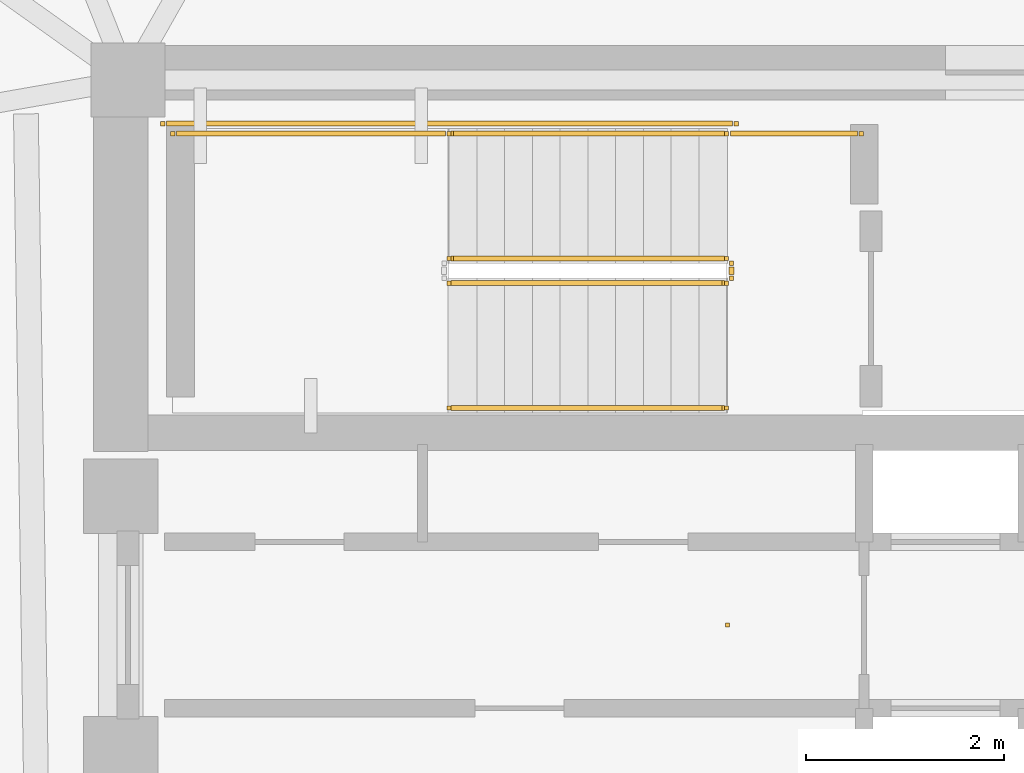
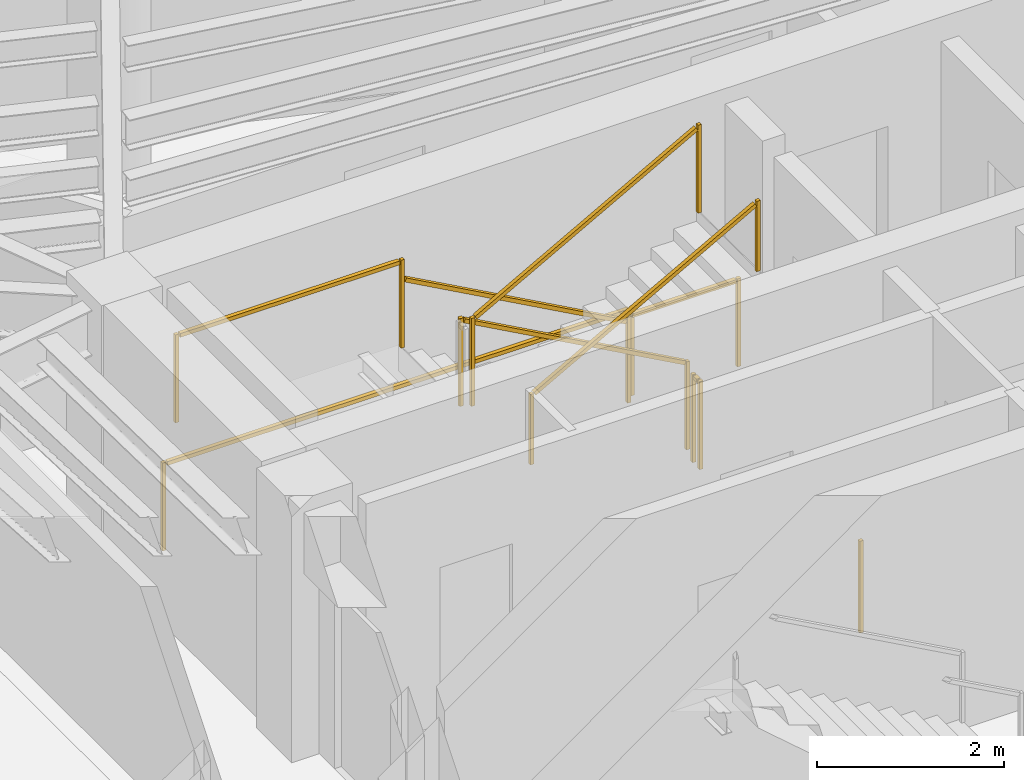
# One storey, part 9 of 10: 9 railings.
"""IFC4 building model written with IfcOpenShell, lengths in metres."""

from ifc_helpers import new_model, si_unit, direction, frame, origin, origin_2d, place, context, subcontext, project, spatial, rectangle, extrude, material, type_object, element, save


model = new_model("IFC4")

# Units and contexts
model_context = context("Model", 3, precision=1e-05, world=origin(), true_north=direction((0.0, 1.0)))
body_context = subcontext(model_context, "Body", "Model", "MODEL_VIEW")
ifc_project = project(units=[si_unit("LENGTHUNIT", "METRE"), si_unit("AREAUNIT", "SQUARE_METRE"), si_unit("VOLUMEUNIT", "CUBIC_METRE"), si_unit("PLANEANGLEUNIT", "RADIAN"), si_unit("MASSUNIT", "GRAM", prefix="KILO")], contexts=[model_context])

# Site, building, storey
site_placement = place(None, origin())
site = spatial("IfcSite", under=ifc_project, at=site_placement, CompositionType="ELEMENT")
building_placement = place(site_placement, origin())
building = spatial("IfcBuilding", under=site, at=building_placement, Name="Yunling Apex Tower", CompositionType="ELEMENT")
storey_placement = place(building_placement, frame((0.0, 0.0, 277.949951171875)))
storey = spatial("IfcBuildingStorey", under=building, at=storey_placement, Name="L68", CompositionType="ELEMENT", Elevation=277.949951171875)

# Railings
ifc_material_1 = material(Name="Bronze anodised aluminium", Category="aluminium")
railing_type_1 = type_object("IfcRailingType", Name="RL-BAL-1200", PredefinedType="BALUSTRADE", material=ifc_material_1)
railing_1_placement = place(storey_placement, origin())
element("IfcRailing", 1, at=railing_1_placement, inside=storey, type_object=railing_type_1, Name="RL-TATR-L68", PredefinedType="BALUSTRADE", context=body_context, shape_type="SweptSolid", body=[
    extrude(rectangle(XDim=0.0439453125, YDim=0.0439453125, at=origin_2d()), origin(), (0.0, 0.0, 1.0), 1.199951171875),
])
ifc_material_2 = material(Name="Steel Q355B", Category="steel")
railing_type_2 = type_object("IfcRailingType", Name="RL-GRD-1150", PredefinedType="GUARDRAIL", material=ifc_material_2)
railing_2_placement = place(storey_placement, frame((-0.010009765625, 3.699951171875, 0.154541015625)))
element("IfcRailing", 2, at=railing_2_placement, inside=storey, type_object=railing_type_2, Name="L68 ST-1 stair guard 1", PredefinedType="GUARDRAIL", context=body_context, shape_type="SweptSolid", body=[
    extrude(rectangle(XDim=0.0439453125, YDim=0.0439453125, at=origin_2d()), origin(), (0.0, 0.0, 1.0), 1.14990234375),
    extrude(rectangle(XDim=0.0439453125, YDim=0.0439453125, at=origin_2d()), frame((-2.800048828125, 0.0, 1.54541015625)), (0.0, 0.0, 1.0), 1.14990234375),
    extrude(rectangle(XDim=0.050048828125, YDim=0.050048828125, at=origin_2d()), frame((-0.033447265625, 0.0, 1.143310546875), z_axis=(-0.875504190374, 0.0, 0.483210526207), x_axis=(0.0, -1.0, 0.0)), (0.0, 0.0, 1.0), 3.12158203125),
])
railing_3_placement = place(storey_placement, frame((-2.81005859375, 4.9599609375, 1.699951171875)))
element("IfcRailing", 3, at=railing_3_placement, inside=storey, type_object=railing_type_2, Name="L68 ST-1 stair guard 3", PredefinedType="GUARDRAIL", context=body_context, shape_type="SweptSolid", body=[
    extrude(rectangle(XDim=0.0439453125, YDim=0.0439453125, at=origin_2d()), origin(), (0.0, 0.0, 1.0), 1.14990234375),
    extrude(rectangle(XDim=0.0439453125, YDim=0.0439453125, at=origin_2d()), frame((-2.7900390625, 0.0, 0.0)), (0.0, 0.0, 1.0), 1.14990234375),
    extrude(rectangle(XDim=0.050048828125, YDim=0.050048828125, at=origin_2d()), frame((-0.038330078125, 0.0, 1.125), z_axis=(-1.0, 0.0, 0.0), x_axis=(0.0, -1.0, 0.0)), (0.0, 0.0, 1.0), 2.71337890625),
])
railing_4_placement = place(storey_placement, frame((-2.81005859375, 3.449951171875, 1.8544921875)))
element("IfcRailing", 4, at=railing_4_placement, inside=storey, type_object=railing_type_2, Name="L68 ST-1 stair guard 4", PredefinedType="GUARDRAIL", context=body_context, shape_type="SweptSolid", body=[
    extrude(rectangle(XDim=0.0439453125, YDim=0.0439453125, at=origin_2d()), origin(), (0.0, 0.0, 1.0), 1.14990234375),
    extrude(rectangle(XDim=0.0439453125, YDim=0.0439453125, at=origin_2d()), frame((2.800048828125, 0.0, 1.545654296875)), (0.0, 0.0, 1.0), 1.14990234375),
    extrude(rectangle(XDim=0.050048828125, YDim=0.050048828125, at=origin_2d()), frame((0.033447265625, 0.0, 1.143310546875), z_axis=(0.875471895205, 0.0, 0.483269035534), x_axis=(0.0, 1.0, 0.0)), (0.0, 0.0, 1.0), 3.12158203125),
])
railing_5_placement = place(storey_placement, frame((0.0400390625, 3.64990234375, 0.0)))
element("IfcRailing", 5, at=railing_5_placement, inside=storey, type_object=railing_type_2, Name="L68 ST-1 stair guard 5", PredefinedType="GUARDRAIL", context=body_context, shape_type="SweptSolid", body=[
    extrude(rectangle(XDim=0.0439453125, YDim=0.0439453125, at=origin_2d()), origin(), (0.0, 0.0, 1.0), 1.14990234375),
    extrude(rectangle(XDim=0.0439453125, YDim=0.0439453125, at=origin_2d()), frame((0.0, -0.14990234375, 0.0)), (0.0, 0.0, 1.0), 1.14990234375),
    extrude(rectangle(XDim=0.050048828125, YDim=0.050048828125, at=origin_2d()), frame((0.0, -0.038330078125, 1.125), z_axis=(0.0, -1.0, 0.0), x_axis=(1.0, 0.0, 0.0)), (0.0, 0.0, 1.0), 0.0732421875),
])
railing_6_placement = place(storey_placement, frame((1.35009765625, 4.9599609375, 0.0)))
element("IfcRailing", 6, at=railing_6_placement, inside=storey, type_object=railing_type_2, Name="L68 ST-1 stair guard 6", PredefinedType="GUARDRAIL", context=body_context, shape_type="SweptSolid", body=[
    extrude(rectangle(XDim=0.0439453125, YDim=0.0439453125, at=origin_2d()), origin(), (0.0, 0.0, 1.0), 1.14990234375),
    extrude(rectangle(XDim=0.0439453125, YDim=0.0439453125, at=origin_2d()), frame((-1.360107421875, 0.0, 0.0)), (0.0, 0.0, 1.0), 1.14990234375),
    extrude(rectangle(XDim=0.050048828125, YDim=0.050048828125, at=origin_2d()), frame((-0.038330078125, 0.0, 1.125), z_axis=(-1.0, 0.0, 0.0), x_axis=(0.0, -1.0, 0.0)), (0.0, 0.0, 1.0), 1.283447265625),
])
railing_7_placement = place(storey_placement, frame((0.090087890625, 5.06005859375, 0.0)))
element("IfcRailing", 7, at=railing_7_placement, inside=storey, type_object=railing_type_2, Name="L68 ST-1 stair guard 7", PredefinedType="GUARDRAIL", context=body_context, shape_type="SweptSolid", body=[
    extrude(rectangle(XDim=0.0439453125, YDim=0.0439453125, at=origin_2d()), origin(), (0.0, 0.0, 1.0), 1.14990234375),
    extrude(rectangle(XDim=0.0439453125, YDim=0.0439453125, at=origin_2d()), frame((-5.7900390625, 0.0, 0.0)), (0.0, 0.0, 1.0), 1.14990234375),
    extrude(rectangle(XDim=0.050048828125, YDim=0.050048828125, at=origin_2d()), frame((-0.038330078125, 0.0, 1.125), z_axis=(-1.0, 0.0, 0.0), x_axis=(0.0, -1.0, 0.0)), (0.0, 0.0, 1.0), 5.71337890625),
])
ifc_material_3 = material(Name="Silver anodised aluminium", Category="aluminium")
railing_type_3 = type_object("IfcRailingType", Name="RL-HND-900", PredefinedType="HANDRAIL", material=ifc_material_3)
railing_8_placement = place(storey_placement, frame((-0.010009765625, 4.9599609375, 0.154541015625)))
element("IfcRailing", 8, at=railing_8_placement, inside=storey, type_object=railing_type_3, Name="L68 ST-1 stair handrail 1", PredefinedType="HANDRAIL", context=body_context, shape_type="SweptSolid", body=[
    extrude(rectangle(XDim=0.0439453125, YDim=0.0439453125, at=origin_2d()), origin(), (0.0, 0.0, 1.0), 0.919921875),
    extrude(rectangle(XDim=0.0439453125, YDim=0.0439453125, at=origin_2d()), frame((-2.800048828125, 0.0, 1.54541015625)), (0.0, 0.0, 1.0), 0.919921875),
    extrude(rectangle(XDim=0.050048828125, YDim=0.050048828125, at=origin_2d()), frame((-0.033447265625, 0.0, 0.913330078125), z_axis=(-0.875504190374, 0.0, 0.483210526207), x_axis=(0.0, -1.0, 0.0)), (0.0, 0.0, 1.0), 3.12158203125),
])
railing_9_placement = place(storey_placement, frame((-2.81005859375, 2.18994140625, 1.8544921875)))
element("IfcRailing", 9, at=railing_9_placement, inside=storey, type_object=railing_type_3, Name="L68 ST-1 stair handrail 2", PredefinedType="HANDRAIL", context=body_context, shape_type="SweptSolid", body=[
    extrude(rectangle(XDim=0.0439453125, YDim=0.0439453125, at=origin_2d()), origin(), (0.0, 0.0, 1.0), 0.919921875),
    extrude(rectangle(XDim=0.0439453125, YDim=0.0439453125, at=origin_2d()), frame((2.800048828125, 0.0, 1.545654296875)), (0.0, 0.0, 1.0), 0.919921875),
    extrude(rectangle(XDim=0.050048828125, YDim=0.050048828125, at=origin_2d()), frame((0.033447265625, 0.0, 0.913330078125), z_axis=(0.875471895205, 0.0, 0.483269035534), x_axis=(0.0, 1.0, 0.0)), (0.0, 0.0, 1.0), 3.12158203125),
])

save(model, "model.ifc")
